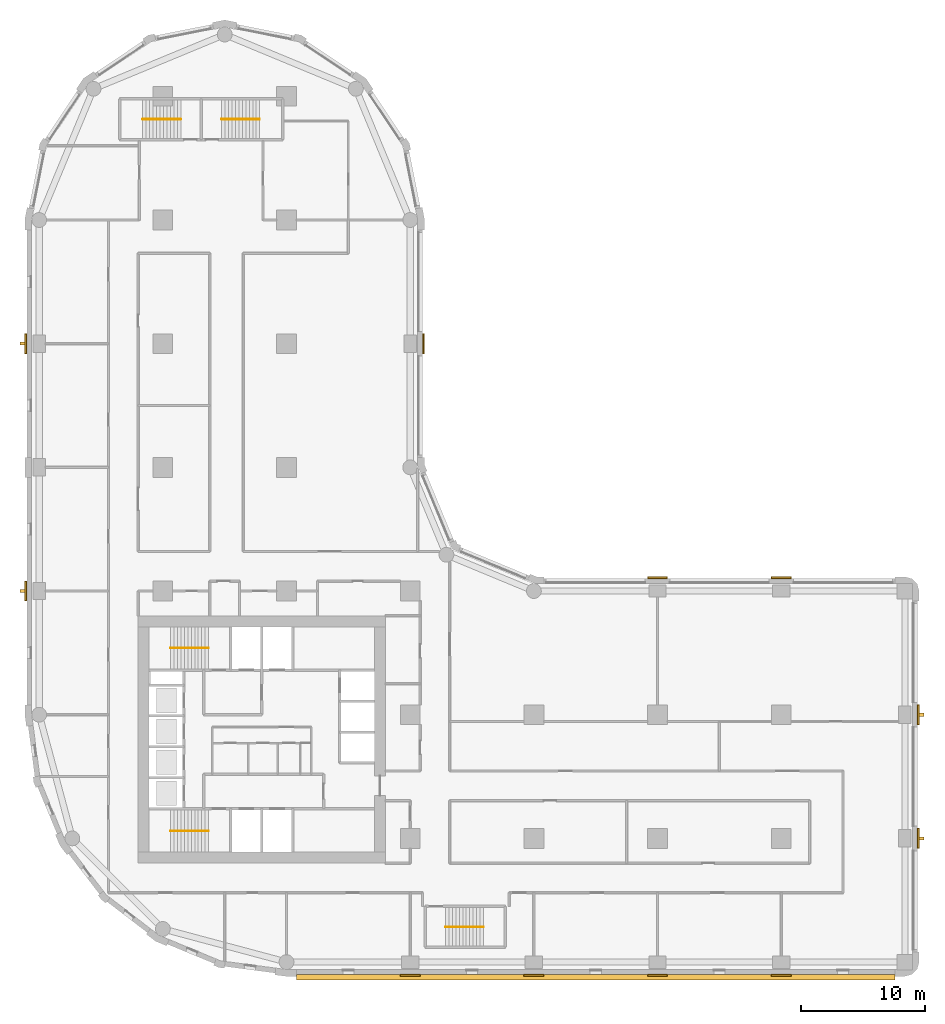
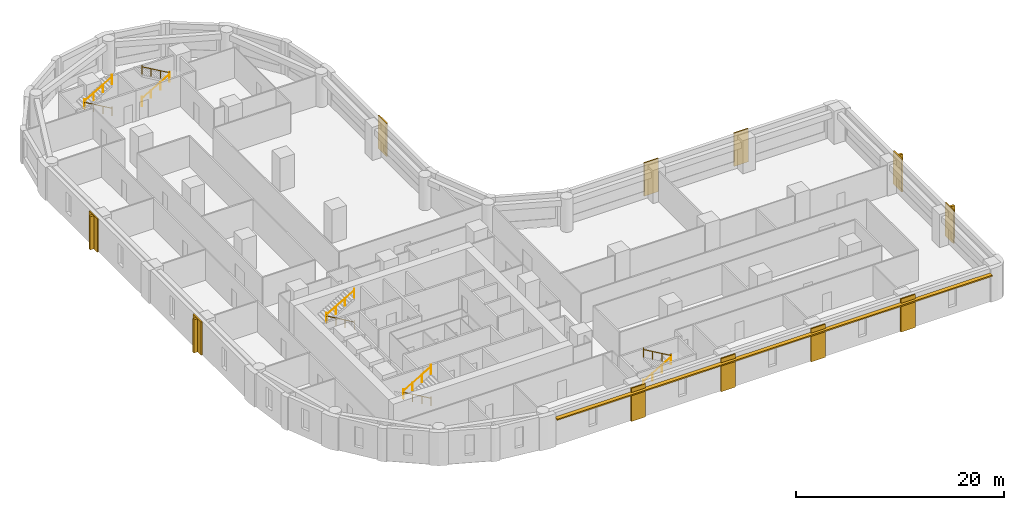
# One storey, part 10 of 11: 11 coverings, 10 railings, 5 shading devices.
"""IFC4 building model written with IfcOpenShell, lengths in metres."""

from ifc_helpers import new_model, si_unit, direction, frame, origin, origin_2d, place, context, subcontext, project, spatial, polyline, rectangle, circle, outline, extrude, material, layer, layer_set, type_object, element, save


model = new_model("IFC4")

# Units and contexts
model_context = context("Model", 3, precision=1e-05, world=origin(), true_north=direction((0.0, 1.0)))
body_context = subcontext(model_context, "Body", "Model", "MODEL_VIEW")
ifc_project = project(units=[si_unit("LENGTHUNIT", "METRE"), si_unit("AREAUNIT", "SQUARE_METRE"), si_unit("VOLUMEUNIT", "CUBIC_METRE"), si_unit("PLANEANGLEUNIT", "RADIAN"), si_unit("MASSUNIT", "GRAM", prefix="KILO")], contexts=[model_context])

# Site, building, storey
site_placement = place(None, origin())
site = spatial("IfcSite", under=ifc_project, at=site_placement, CompositionType="ELEMENT")
building_placement = place(site_placement, origin())
building = spatial("IfcBuilding", under=site, at=building_placement, Name="Qaws Garden Tower", CompositionType="ELEMENT")
storey_placement = place(building_placement, frame((0.0, 0.0, 27.60009765625)))
storey = spatial("IfcBuildingStorey", under=building, at=storey_placement, Name="L06", CompositionType="ELEMENT", Elevation=27.60009765625)

# Coverings
ifc_material_1 = material(Name="Clay facing brick masonry", Category="masonry")
ifc_layer_1 = layer(ifc_material_1, 0.14990234375)
ifc_layer_set_1 = layer_set([ifc_layer_1], Name="Clay facing brick masonry")
covering_type = type_object("IfcCoveringType", Name="Brick pilaster facing 150 x 1600", PredefinedType="CLADDING", material=ifc_layer_set_1)
placement = place(storey_placement, origin())
element("IfcCovering", 1, at=placement, inside=storey, type_object=covering_type, Name="E-L06-pier-01", PredefinedType="CLADDING", context=body_context, shape_type="SweptSolid", body=[
    extrude(outline(polyline([(29.199951171875, -1.0), (30.800048828125, -1.0), (30.800048828125, -1.14990234375), (29.199951171875, -1.14990234375), (29.199951171875, -1.0)])), origin(), (0.0, 0.0, 1.0), 3.89990234375),
])
element("IfcCovering", 2, at=placement, inside=storey, type_object=covering_type, Name="E-L06-pier-02", PredefinedType="CLADDING", context=body_context, shape_type="SweptSolid", body=[
    extrude(outline(polyline([(39.199951171875, -1.0), (40.800048828125, -1.0), (40.800048828125, -1.14990234375), (39.199951171875, -1.14990234375), (39.199951171875, -1.0)])), origin(), (0.0, 0.0, 1.0), 3.89990234375),
])
element("IfcCovering", 3, at=placement, inside=storey, type_object=covering_type, Name="E-L06-pier-03", PredefinedType="CLADDING", context=body_context, shape_type="SweptSolid", body=[
    extrude(outline(polyline([(49.199951171875, -1.0), (50.800048828125, -1.0), (50.800048828125, -1.14990234375), (49.199951171875, -1.14990234375), (49.199951171875, -1.0)])), origin(), (0.0, 0.0, 1.0), 3.89990234375),
])
element("IfcCovering", 4, at=placement, inside=storey, type_object=covering_type, Name="E-L06-pier-04", PredefinedType="CLADDING", context=body_context, shape_type="SweptSolid", body=[
    extrude(outline(polyline([(59.199951171875, -1.0), (60.800048828125, -1.0), (60.800048828125, -1.14990234375), (59.199951171875, -1.14990234375), (59.199951171875, -1.0)])), origin(), (0.0, 0.0, 1.0), 3.89990234375),
])
element("IfcCovering", 5, at=placement, inside=storey, type_object=covering_type, Name="E-L06-pier-06", PredefinedType="CLADDING", context=body_context, shape_type="SweptSolid", body=[
    extrude(outline(polyline([(71.0, 9.199951171875), (71.0, 10.800048828125), (71.14990234375, 10.800048828125), (71.14990234375, 9.199951171875), (71.0, 9.199951171875)])), origin(), (0.0, 0.0, 1.0), 3.89990234375),
])
element("IfcCovering", 6, at=placement, inside=storey, type_object=covering_type, Name="E-L06-pier-07", PredefinedType="CLADDING", context=body_context, shape_type="SweptSolid", body=[
    extrude(outline(polyline([(71.0, 19.199951171875), (71.0, 20.800048828125), (71.14990234375, 20.800048828125), (71.14990234375, 19.199951171875), (71.0, 19.199951171875)])), origin(), (0.0, 0.0, 1.0), 3.89990234375),
])
element("IfcCovering", 7, at=placement, inside=storey, type_object=covering_type, Name="E-L06-pier-09", PredefinedType="CLADDING", context=body_context, shape_type="SweptSolid", body=[
    extrude(outline(polyline([(60.800048828125, 31.0), (59.199951171875, 31.0), (59.199951171875, 31.14990234375), (60.800048828125, 31.14990234375), (60.800048828125, 31.0)])), origin(), (0.0, 0.0, 1.0), 3.89990234375),
])
element("IfcCovering", 8, at=placement, inside=storey, type_object=covering_type, Name="E-L06-pier-10", PredefinedType="CLADDING", context=body_context, shape_type="SweptSolid", body=[
    extrude(outline(polyline([(50.800048828125, 31.0), (49.199951171875, 31.0), (49.199951171875, 31.14990234375), (50.800048828125, 31.14990234375), (50.800048828125, 31.0)])), origin(), (0.0, 0.0, 1.0), 3.89990234375),
])
element("IfcCovering", 9, at=placement, inside=storey, type_object=covering_type, Name="E-L06-pier-14", PredefinedType="CLADDING", context=body_context, shape_type="SweptSolid", body=[
    extrude(outline(polyline([(31.0, 49.199951171875), (31.0, 50.800048828125), (31.14990234375, 50.800048828125), (31.14990234375, 49.199951171875), (31.0, 49.199951171875)])), origin(), (0.0, 0.0, 1.0), 3.89990234375),
])
element("IfcCovering", 10, at=placement, inside=storey, type_object=covering_type, Name="E-L06-pier-24", PredefinedType="CLADDING", context=body_context, shape_type="SweptSolid", body=[
    extrude(outline(polyline([(-1.0, 50.800048828125), (-1.0, 49.199951171875), (-1.14990234375, 49.199951171875), (-1.14990234375, 50.800048828125), (-1.0, 50.800048828125)])), origin(), (0.0, 0.0, 1.0), 3.89990234375),
])
element("IfcCovering", 11, at=placement, inside=storey, type_object=covering_type, Name="E-L06-pier-26", PredefinedType="CLADDING", context=body_context, shape_type="SweptSolid", body=[
    extrude(outline(polyline([(-1.0, 30.800048828125), (-1.0, 29.199951171875), (-1.14990234375, 29.199951171875), (-1.14990234375, 30.800048828125), (-1.0, 30.800048828125)])), origin(), (0.0, 0.0, 1.0), 3.89990234375),
])

# Shading devices
ifc_material_2 = material(Name="Clay facing brick masonry", Category="masonry")
ifc_layer_2 = layer(ifc_material_2, 0.14990234375)
ifc_layer_set_2 = layer_set([ifc_layer_2], Name="Clay facing brick masonry")
shading_device_type_1 = type_object("IfcShadingDeviceType", Name="Brick sunshade band 450 x 150", PredefinedType="JALOUSIE", material=ifc_layer_set_2)
shading_device_placement = place(storey_placement, frame((0.0, 0.0, 3.25)))
element("IfcShadingDevice", 12, at=shading_device_placement, inside=storey, type_object=shading_device_type_1, Name="SUNSHADE 00", PredefinedType="JALOUSIE", context=body_context, shape_type="SweptSolid", body=[
    extrude(outline(polyline([(20.800048828125, -1.0), (20.800048828125, -1.449951171875), (69.199951171875, -1.449951171875), (69.199951171875, -1.0), (60.800048828125, -1.0), (60.800048828125, -1.14990234375), (59.199951171875, -1.14990234375), (59.199951171875, -1.0), (50.800048828125, -1.0), (50.800048828125, -1.14990234375), (49.199951171875, -1.14990234375), (49.199951171875, -1.0), (40.800048828125, -1.0), (40.800048828125, -1.14990234375), (39.199951171875, -1.14990234375), (39.199951171875, -1.0), (30.800048828125, -1.0), (30.800048828125, -1.14990234375), (29.199951171875, -1.14990234375), (29.199951171875, -1.0), (20.800048828125, -1.0)])), origin(), (0.0, 0.0, 1.0), 0.14990234375),
])
ifc_material_3 = material(Name="Clay facing brick masonry", Category="masonry")
ifc_layer_3 = layer(ifc_material_3, 0.25)
ifc_layer_set_3 = layer_set([ifc_layer_3], Name="Clay facing brick masonry")
shading_device_type_2 = type_object("IfcShadingDeviceType", Name="Brick-faced fin 250 x 400", PredefinedType="USERDEFINED", material=ifc_layer_set_3)
for number, where, z_axis, x_axis, name in (
    (13, (71.35009765625, 10.0, 0.0), (0.0, 0.0, 1.0), (0.0, 1.0, 0.0), "FIN 06"),
    (14, (71.35009765625, 20.0, 0.0), (0.0, 0.0, 1.0), (0.0, 1.0, 0.0), "FIN 07"),
    (15, (-1.35009765625, 50.0, 0.0), (0.0, 0.0, 1.0), (0.0, -1.0, 0.0), "FIN 24"),
    (16, (-1.35009765625, 30.0, 0.0), (0.0, 0.0, 1.0), (0.0, -1.0, 0.0), "FIN 26"),
):
    element("IfcShadingDevice", number, at=place(storey_placement, frame(where, z_axis=z_axis, x_axis=x_axis)), inside=storey, type_object=shading_device_type_2, Name=name, ObjectType="FIN", PredefinedType="USERDEFINED", context=body_context, shape_type="SweptSolid", body=[
        extrude(rectangle(XDim=0.25, YDim=0.39990234375, at=origin_2d()), origin(), (0.0, 0.0, 1.0), 3.89990234375),
    ])

# Railings
ifc_material_4 = material(Name="Steel S355", Category="steel")
railing_type = type_object("IfcRailingType", Name="Stair handrail 900", PredefinedType="HANDRAIL", material=ifc_material_4)
railing_1_placement = place(storey_placement, frame((13.699951171875, 10.60009765625, 0.162353515625)))
element("IfcRailing", 17, at=railing_1_placement, inside=storey, type_object=railing_type, Name="Stair 1 handrail", PredefinedType="HANDRAIL", context=body_context, shape_type="SweptSolid", body=[
    extrude(circle(Radius=0.02392578125, at=origin_2d()), frame((0.0, 0.0, 0.8759765625), z_axis=(-0.864873446163, 0.0, 0.501989962173), x_axis=(0.0, -1.0, 0.0)), (0.0, 0.0, 1.0), 3.56103515625),
    extrude(circle(Radius=0.02099609375, at=origin_2d()), origin(), (0.0, 0.0, 1.0), 1.06201171875),
    extrude(circle(Radius=0.02099609375, at=origin_2d()), frame((-1.026611328125, 0.0, 0.595947265625)), (0.0, 0.0, 1.0), 0.851806640625),
    extrude(circle(Radius=0.02099609375, at=origin_2d()), frame((-2.05322265625, 0.0, 1.191650390625)), (0.0, 0.0, 1.0), 0.851806640625),
    extrude(circle(Radius=0.02099609375, at=origin_2d()), frame((-3.079833984375, 0.0, 1.78759765625)), (0.0, 0.0, 1.0), 1.06201171875),
])
railing_2_placement = place(storey_placement, frame((10.6201171875, 10.60009765625, 2.1123046875)))
element("IfcRailing", 18, at=railing_2_placement, inside=storey, type_object=railing_type, Name="Stair 1 handrail", PredefinedType="HANDRAIL", context=body_context, shape_type="SweptSolid", body=[
    extrude(circle(Radius=0.02392578125, at=origin_2d()), frame((0.0, 0.0, 0.8759765625), z_axis=(0.864873446163, 0.0, 0.501989962173), x_axis=(0.0, 1.0, 0.0)), (0.0, 0.0, 1.0), 3.56103515625),
    extrude(circle(Radius=0.02099609375, at=origin_2d()), origin(), (0.0, 0.0, 1.0), 1.06201171875),
    extrude(circle(Radius=0.02099609375, at=origin_2d()), frame((1.026611328125, 0.0, 0.595947265625)), (0.0, 0.0, 1.0), 0.851806640625),
    extrude(circle(Radius=0.02099609375, at=origin_2d()), frame((2.05322265625, 0.0, 1.191650390625)), (0.0, 0.0, 1.0), 0.851806640625),
    extrude(circle(Radius=0.02099609375, at=origin_2d()), frame((3.079833984375, 0.0, 1.78759765625)), (0.0, 0.0, 1.0), 1.06201171875),
])
railing_3_placement = place(storey_placement, frame((13.699951171875, 25.39990234375, 0.162353515625)))
element("IfcRailing", 19, at=railing_3_placement, inside=storey, type_object=railing_type, Name="Stair 4 handrail", PredefinedType="HANDRAIL", context=body_context, shape_type="SweptSolid", body=[
    extrude(circle(Radius=0.02392578125, at=origin_2d()), frame((0.0, 0.0, 0.8759765625), z_axis=(-0.864873446163, 0.0, 0.501989962173), x_axis=(0.0, -1.0, 0.0)), (0.0, 0.0, 1.0), 3.56103515625),
    extrude(circle(Radius=0.02099609375, at=origin_2d()), origin(), (0.0, 0.0, 1.0), 1.06201171875),
    extrude(circle(Radius=0.02099609375, at=origin_2d()), frame((-1.026611328125, 0.0, 0.595947265625)), (0.0, 0.0, 1.0), 0.851806640625),
    extrude(circle(Radius=0.02099609375, at=origin_2d()), frame((-2.05322265625, 0.0, 1.191650390625)), (0.0, 0.0, 1.0), 0.851806640625),
    extrude(circle(Radius=0.02099609375, at=origin_2d()), frame((-3.079833984375, 0.0, 1.78759765625)), (0.0, 0.0, 1.0), 1.06201171875),
])
for number, where, name in (
    (20, (10.6201171875, 25.39990234375, 2.1123046875), "Stair 4 handrail"),
    (21, (32.85009765625, 2.85009765625, 0.162353515625), "Stair 5 handrail"),
):
    element("IfcRailing", number, at=place(storey_placement, frame(where)), inside=storey, type_object=railing_type, Name=name, PredefinedType="HANDRAIL", context=body_context, shape_type="SweptSolid", body=[
        extrude(circle(Radius=0.02392578125, at=origin_2d()), frame((0.0, 0.0, 0.8759765625), z_axis=(0.864873446163, 0.0, 0.501989962173), x_axis=(0.0, 1.0, 0.0)), (0.0, 0.0, 1.0), 3.56103515625),
        extrude(circle(Radius=0.02099609375, at=origin_2d()), origin(), (0.0, 0.0, 1.0), 1.06201171875),
        extrude(circle(Radius=0.02099609375, at=origin_2d()), frame((1.026611328125, 0.0, 0.595947265625)), (0.0, 0.0, 1.0), 0.851806640625),
        extrude(circle(Radius=0.02099609375, at=origin_2d()), frame((2.05322265625, 0.0, 1.191650390625)), (0.0, 0.0, 1.0), 0.851806640625),
        extrude(circle(Radius=0.02099609375, at=origin_2d()), frame((3.079833984375, 0.0, 1.78759765625)), (0.0, 0.0, 1.0), 1.06201171875),
    ])
for number, where, name in (
    (22, (35.929931640625, 2.85009765625, 2.1123046875), "Stair 5 handrail"),
    (23, (11.449951171875, 68.14990234375, 0.162353515625), "Stair 6 handrail"),
):
    element("IfcRailing", number, at=place(storey_placement, frame(where)), inside=storey, type_object=railing_type, Name=name, PredefinedType="HANDRAIL", context=body_context, shape_type="SweptSolid", body=[
        extrude(circle(Radius=0.02392578125, at=origin_2d()), frame((0.0, 0.0, 0.8759765625), z_axis=(-0.864873446163, 0.0, 0.501989962173), x_axis=(0.0, -1.0, 0.0)), (0.0, 0.0, 1.0), 3.56103515625),
        extrude(circle(Radius=0.02099609375, at=origin_2d()), origin(), (0.0, 0.0, 1.0), 1.06201171875),
        extrude(circle(Radius=0.02099609375, at=origin_2d()), frame((-1.026611328125, 0.0, 0.595947265625)), (0.0, 0.0, 1.0), 0.851806640625),
        extrude(circle(Radius=0.02099609375, at=origin_2d()), frame((-2.05322265625, 0.0, 1.191650390625)), (0.0, 0.0, 1.0), 0.851806640625),
        extrude(circle(Radius=0.02099609375, at=origin_2d()), frame((-3.079833984375, 0.0, 1.78759765625)), (0.0, 0.0, 1.0), 1.06201171875),
    ])
railing_4_placement = place(storey_placement, frame((8.3701171875, 68.14990234375, 2.1123046875)))
element("IfcRailing", 24, at=railing_4_placement, inside=storey, type_object=railing_type, Name="Stair 6 handrail", PredefinedType="HANDRAIL", context=body_context, shape_type="SweptSolid", body=[
    extrude(circle(Radius=0.02392578125, at=origin_2d()), frame((0.0, 0.0, 0.8759765625), z_axis=(0.864873446163, 0.0, 0.501989962173), x_axis=(0.0, 1.0, 0.0)), (0.0, 0.0, 1.0), 3.56103515625),
    extrude(circle(Radius=0.02099609375, at=origin_2d()), origin(), (0.0, 0.0, 1.0), 1.06201171875),
    extrude(circle(Radius=0.02099609375, at=origin_2d()), frame((1.026611328125, 0.0, 0.595947265625)), (0.0, 0.0, 1.0), 0.851806640625),
    extrude(circle(Radius=0.02099609375, at=origin_2d()), frame((2.05322265625, 0.0, 1.191650390625)), (0.0, 0.0, 1.0), 0.851806640625),
    extrude(circle(Radius=0.02099609375, at=origin_2d()), frame((3.079833984375, 0.0, 1.78759765625)), (0.0, 0.0, 1.0), 1.06201171875),
])
railing_5_placement = place(storey_placement, frame((14.75, 68.14990234375, 0.162353515625)))
element("IfcRailing", 25, at=railing_5_placement, inside=storey, type_object=railing_type, Name="Stair 7 handrail", PredefinedType="HANDRAIL", context=body_context, shape_type="SweptSolid", body=[
    extrude(circle(Radius=0.02392578125, at=origin_2d()), frame((0.0, 0.0, 0.8759765625), z_axis=(0.864890721111, 0.0, 0.501960198159), x_axis=(0.0, 1.0, 0.0)), (0.0, 0.0, 1.0), 3.561279296875),
    extrude(circle(Radius=0.02099609375, at=origin_2d()), origin(), (0.0, 0.0, 1.0), 1.06201171875),
    extrude(circle(Radius=0.02099609375, at=origin_2d()), frame((1.026611328125, 0.0, 0.595947265625)), (0.0, 0.0, 1.0), 0.851806640625),
    extrude(circle(Radius=0.02099609375, at=origin_2d()), frame((2.053466796875, 0.0, 1.191650390625)), (0.0, 0.0, 1.0), 0.851806640625),
    extrude(circle(Radius=0.02099609375, at=origin_2d()), frame((3.080078125, 0.0, 1.78759765625)), (0.0, 0.0, 1.0), 1.06201171875),
])
railing_6_placement = place(storey_placement, frame((17.830078125, 68.14990234375, 2.1123046875)))
element("IfcRailing", 26, at=railing_6_placement, inside=storey, type_object=railing_type, Name="Stair 7 handrail", PredefinedType="HANDRAIL", context=body_context, shape_type="SweptSolid", body=[
    extrude(circle(Radius=0.02392578125, at=origin_2d()), frame((0.0, 0.0, 0.8759765625), z_axis=(-0.864890721111, 0.0, 0.501960198159), x_axis=(0.0, -1.0, 0.0)), (0.0, 0.0, 1.0), 3.561279296875),
    extrude(circle(Radius=0.02099609375, at=origin_2d()), origin(), (0.0, 0.0, 1.0), 1.06201171875),
    extrude(circle(Radius=0.02099609375, at=origin_2d()), frame((-1.026611328125, 0.0, 0.595947265625)), (0.0, 0.0, 1.0), 0.851806640625),
    extrude(circle(Radius=0.02099609375, at=origin_2d()), frame((-2.053466796875, 0.0, 1.191650390625)), (0.0, 0.0, 1.0), 0.851806640625),
    extrude(circle(Radius=0.02099609375, at=origin_2d()), frame((-3.080078125, 0.0, 1.78759765625)), (0.0, 0.0, 1.0), 1.06201171875),
])

save(model, "model.ifc")
